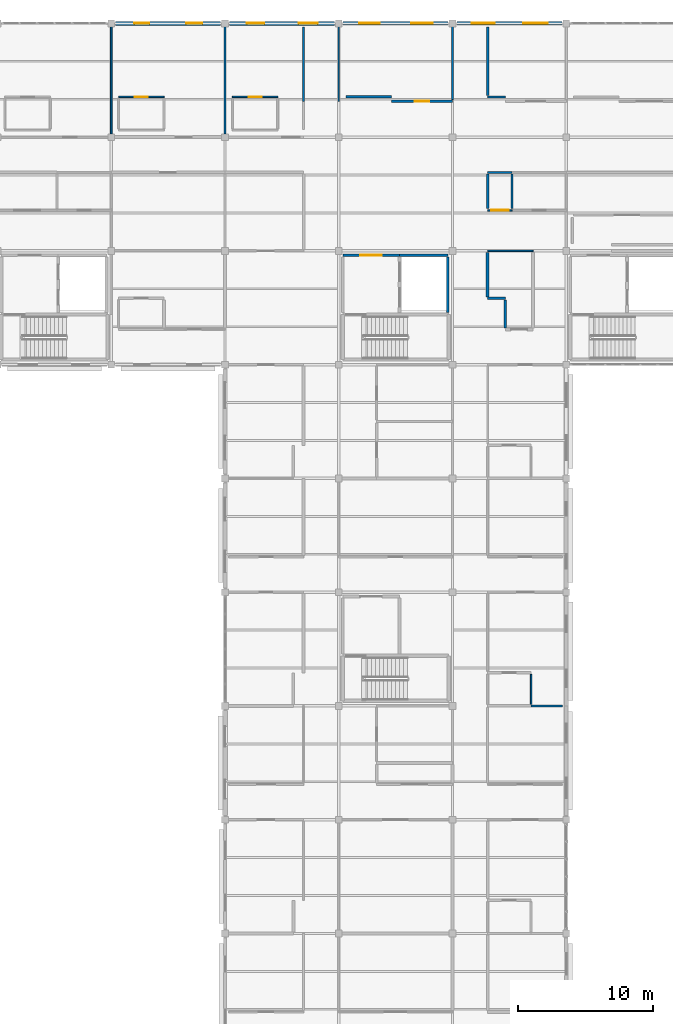
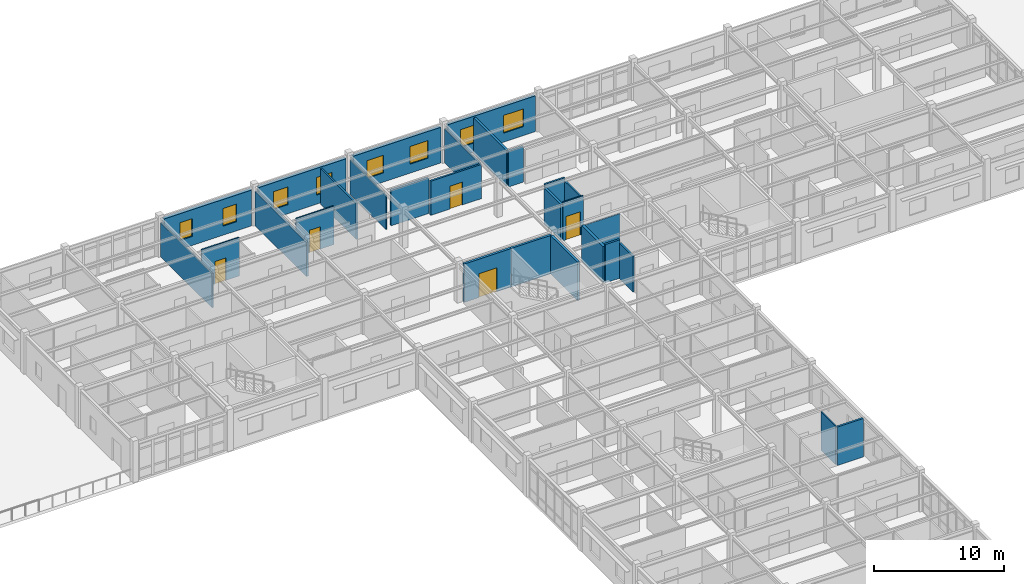
# One storey, part 42 of 53: 28 walls, 8 windows, 5 doors, 13 openings.
"""IFC4 building model written with IfcOpenShell, lengths in metres."""

from ifc_helpers import new_model, si_unit, direction, frame, frame_2d, origin, place, context, subcontext, project, spatial, rectangle, extrude, material, layer, layer_set, type_object, element, fill, save


model = new_model("IFC4")

# Units and contexts
model_context = context("Model", 3, precision=1e-05, world=origin(), true_north=direction((0.0, 1.0)))
body_context = subcontext(model_context, "Body", "Model", "MODEL_VIEW")
ifc_project = project(units=[si_unit("LENGTHUNIT", "METRE"), si_unit("AREAUNIT", "SQUARE_METRE"), si_unit("VOLUMEUNIT", "CUBIC_METRE"), si_unit("PLANEANGLEUNIT", "RADIAN"), si_unit("MASSUNIT", "GRAM", prefix="KILO")], contexts=[model_context])

# Site, building, storey
site_placement = place(None, origin())
site = spatial("IfcSite", under=ifc_project, at=site_placement, CompositionType="ELEMENT")
building_placement = place(site_placement, origin())
building = spatial("IfcBuilding", under=site, at=building_placement, Name="Bramfleet General Hospital", CompositionType="ELEMENT")
storey_placement = place(building_placement, frame((0.0, 0.0, 26.39990234375)))
storey = spatial("IfcBuildingStorey", under=building, at=storey_placement, Name="L06", CompositionType="ELEMENT", Elevation=26.39990234375)

# Wall, openings, windows
ifc_material_1 = material(Name="Precast concrete C40/50", Category="concrete")
ifc_layer_1 = layer(ifc_material_1, 0.294921875, Name="WT-EW-05")
ifc_layer_set_1 = layer_set([ifc_layer_1], Name="Precast concrete C40/50")
wall_type_1 = type_object("IfcWallType", Name="WT-EW-05", PredefinedType="SOLIDWALL", material=ifc_layer_set_1)
wall_1_placement = place(storey_placement, frame((84.324951171875, 117.60009765625, 0.0), z_axis=(0.0, 0.0, 1.0), x_axis=(1.0, 0.0, 0.0)))
wall_1 = element("IfcWall", 1, at=wall_1_placement, inside=storey, type_object=wall_type_1, Name="L06 Exterior Wall 395", PredefinedType="SOLIDWALL", context=body_context, shape_type="SweptSolid", body=[
    extrude(rectangle(XDim=7.75, YDim=0.294921875, at=frame_2d((3.875, 0.0))), origin(), (0.0, 0.0, 1.0), 3.360107421875),
])
opening_1_placement = place(wall_1_placement, frame((1.387451171875, 0.0, 0.85009765625)))
opening_1 = element("IfcOpeningElement", 2, at=opening_1_placement, cuts=wall_1, Name="Opening W-31", PredefinedType="OPENING", context=body_context, shape_type="SweptSolid", body=[
    extrude(rectangle(XDim=1.10009765625, YDim=1.659912109375, at=frame_2d((0.550048828125, 0.830078125))), frame((0.0, 0.157470703125, 0.0), z_axis=(0.0, -1.0, 0.0), x_axis=(1.0, 0.0, 0.0)), (0.0, 0.0, 1.0), 0.31494140625),
])
opening_2_placement = place(wall_1_placement, frame((5.21240234375, 0.0, 0.85009765625)))
opening_2 = element("IfcOpeningElement", 3, at=opening_2_placement, cuts=wall_1, Name="Opening W-32", PredefinedType="OPENING", context=body_context, shape_type="SweptSolid", body=[
    extrude(rectangle(XDim=1.199951171875, YDim=1.659912109375, at=frame_2d((0.60009765625, 0.830078125))), frame((0.0, 0.157470703125, 0.0), z_axis=(0.0, -1.0, 0.0), x_axis=(1.0, 0.0, 0.0)), (0.0, 0.0, 1.0), 0.31494140625),
])
ifc_material_2 = material(Name="Anodised aluminium and low-E triple glazing", Category="aluminium")
window_type_1 = type_object("IfcWindowType", Name="WIN-W-31", PartitioningType="SINGLE_PANEL", PredefinedType="WINDOW", material=ifc_material_2)
window_1_placement = place(opening_1_placement, origin())
window_1 = element("IfcWindow", 4, at=window_1_placement, inside=storey, type_object=window_type_1, Name="L06 Facade Window WIN-L06-395-1", OverallHeight=1.659912109375, OverallWidth=1.10009765625, PartitioningType="SINGLE_PANEL", PredefinedType="WINDOW", context=body_context, shape_type="SweptSolid", body=[
    extrude(rectangle(XDim=1.10009765625, YDim=1.659912109375, at=frame_2d((0.550048828125, 0.830078125))), frame((0.0, 0.030029296875, 0.0), z_axis=(0.0, -1.0, 0.0), x_axis=(1.0, 0.0, 0.0)), (0.0, 0.0, 1.0), 0.06005859375),
])
fill(opening_1, window_1)
window_type_2 = type_object("IfcWindowType", Name="WIN-W-32", PartitioningType="SINGLE_PANEL", PredefinedType="WINDOW", material=ifc_material_2)
window_2_placement = place(opening_2_placement, origin())
window_2 = element("IfcWindow", 5, at=window_2_placement, inside=storey, type_object=window_type_2, Name="L06 Facade Window WIN-L06-395-2", OverallHeight=1.659912109375, OverallWidth=1.199951171875, PartitioningType="SINGLE_PANEL", PredefinedType="WINDOW", context=body_context, shape_type="SweptSolid", body=[
    extrude(rectangle(XDim=1.199951171875, YDim=1.659912109375, at=frame_2d((0.60009765625, 0.830078125))), frame((0.0, 0.030029296875, 0.0), z_axis=(0.0, -1.0, 0.0), x_axis=(1.0, 0.0, 0.0)), (0.0, 0.0, 1.0), 0.06005859375),
])
fill(opening_2, window_2)

ifc_layer_2 = layer(ifc_material_1, 0.280029296875, Name="WT-EW-06")
ifc_layer_set_2 = layer_set([ifc_layer_2], Name="Precast concrete C40/50")
wall_type_2 = type_object("IfcWallType", Name="WT-EW-06", PredefinedType="SOLIDWALL", material=ifc_layer_set_2)
wall_2_placement = place(storey_placement, frame((92.72509765625, 117.60009765625, 0.0), z_axis=(0.0, 0.0, 1.0), x_axis=(1.0, 0.0, 0.0)))
wall_2 = element("IfcWall", 6, at=wall_2_placement, inside=storey, type_object=wall_type_2, Name="L06 Exterior Wall 396", PredefinedType="SOLIDWALL", context=body_context, shape_type="SweptSolid", body=[
    extrude(rectangle(XDim=7.75, YDim=0.280029296875, at=frame_2d((3.875, 0.0))), origin(), (0.0, 0.0, 1.0), 3.360107421875),
])
opening_3_placement = place(wall_2_placement, frame((1.28759765625, 0.0, 0.85009765625)))
opening_3 = element("IfcOpeningElement", 7, at=opening_3_placement, cuts=wall_2, Name="Opening W-33", PredefinedType="OPENING", context=body_context, shape_type="SweptSolid", body=[
    extrude(rectangle(XDim=1.300048828125, YDim=1.659912109375, at=frame_2d((0.64990234375, 0.830078125))), frame((0.0, 0.14990234375, 0.0), z_axis=(0.0, -1.0, 0.0), x_axis=(1.0, 0.0, 0.0)), (0.0, 0.0, 1.0), 0.300048828125),
])
opening_4_placement = place(wall_2_placement, frame((5.112548828125, 0.0, 0.85009765625)))
opening_4 = element("IfcOpeningElement", 8, at=opening_4_placement, cuts=wall_2, Name="Opening W-34", PredefinedType="OPENING", context=body_context, shape_type="SweptSolid", body=[
    extrude(rectangle(XDim=1.39990234375, YDim=1.659912109375, at=frame_2d((0.699951171875, 0.830078125))), frame((0.0, 0.14990234375, 0.0), z_axis=(0.0, -1.0, 0.0), x_axis=(1.0, 0.0, 0.0)), (0.0, 0.0, 1.0), 0.300048828125),
])
window_type_3 = type_object("IfcWindowType", Name="WIN-W-33", PartitioningType="SINGLE_PANEL", PredefinedType="WINDOW", material=ifc_material_2)
window_3_placement = place(opening_3_placement, origin())
window_3 = element("IfcWindow", 9, at=window_3_placement, inside=storey, type_object=window_type_3, Name="L06 Facade Window WIN-L06-396-1", OverallHeight=1.659912109375, OverallWidth=1.300048828125, PartitioningType="SINGLE_PANEL", PredefinedType="WINDOW", context=body_context, shape_type="SweptSolid", body=[
    extrude(rectangle(XDim=1.300048828125, YDim=1.659912109375, at=frame_2d((0.64990234375, 0.830078125))), frame((0.0, 0.030029296875, 0.0), z_axis=(0.0, -1.0, 0.0), x_axis=(1.0, 0.0, 0.0)), (0.0, 0.0, 1.0), 0.06005859375),
])
fill(opening_3, window_3)
window_type_4 = type_object("IfcWindowType", Name="WIN-W-34", PartitioningType="SINGLE_PANEL", PredefinedType="WINDOW", material=ifc_material_2)
window_4_placement = place(opening_4_placement, origin())
window_4 = element("IfcWindow", 10, at=window_4_placement, inside=storey, type_object=window_type_4, Name="L06 Facade Window WIN-L06-396-2", OverallHeight=1.659912109375, OverallWidth=1.39990234375, PartitioningType="SINGLE_PANEL", PredefinedType="WINDOW", context=body_context, shape_type="SweptSolid", body=[
    extrude(rectangle(XDim=1.39990234375, YDim=1.659912109375, at=frame_2d((0.699951171875, 0.830078125))), frame((0.0, 0.030029296875, 0.0), z_axis=(0.0, -1.0, 0.0), x_axis=(1.0, 0.0, 0.0)), (0.0, 0.0, 1.0), 0.06005859375),
])
fill(opening_4, window_4)

ifc_layer_3 = layer(ifc_material_1, 0.264892578125, Name="WT-EW-07")
ifc_layer_set_3 = layer_set([ifc_layer_3], Name="Precast concrete C40/50")
wall_type_3 = type_object("IfcWallType", Name="WT-EW-07", PredefinedType="SOLIDWALL", material=ifc_layer_set_3)
wall_3_placement = place(storey_placement, frame((101.125, 117.60009765625, 0.0), z_axis=(0.0, 0.0, 1.0), x_axis=(1.0, 0.0, 0.0)))
wall_3 = element("IfcWall", 11, at=wall_3_placement, inside=storey, type_object=wall_type_3, Name="L06 Exterior Wall 397", PredefinedType="SOLIDWALL", context=body_context, shape_type="SweptSolid", body=[
    extrude(rectangle(XDim=7.75, YDim=0.264892578125, at=frame_2d((3.875, 0.0))), origin(), (0.0, 0.0, 1.0), 3.360107421875),
])
opening_5_placement = place(wall_3_placement, frame((1.1875, 0.0, 0.85009765625)))
opening_5 = element("IfcOpeningElement", 12, at=opening_5_placement, cuts=wall_3, Name="Opening W-35", PredefinedType="OPENING", context=body_context, shape_type="SweptSolid", body=[
    extrude(rectangle(XDim=1.5, YDim=1.659912109375, at=frame_2d((0.75, 0.830078125))), frame((0.0, 0.142333984375, 0.0), z_axis=(0.0, -1.0, 0.0), x_axis=(1.0, 0.0, 0.0)), (0.0, 0.0, 1.0), 0.284912109375),
])
opening_6_placement = place(wall_3_placement, frame((5.012451171875, 0.0, 0.85009765625)))
opening_6 = element("IfcOpeningElement", 13, at=opening_6_placement, cuts=wall_3, Name="Opening W-36", PredefinedType="OPENING", context=body_context, shape_type="SweptSolid", body=[
    extrude(rectangle(XDim=1.60009765625, YDim=1.659912109375, at=frame_2d((0.800048828125, 0.830078125))), frame((0.0, 0.142333984375, 0.0), z_axis=(0.0, -1.0, 0.0), x_axis=(1.0, 0.0, 0.0)), (0.0, 0.0, 1.0), 0.284912109375),
])
window_type_5 = type_object("IfcWindowType", Name="WIN-W-35", PartitioningType="SINGLE_PANEL", PredefinedType="WINDOW", material=ifc_material_2)
window_5_placement = place(opening_5_placement, origin())
window_5 = element("IfcWindow", 14, at=window_5_placement, inside=storey, type_object=window_type_5, Name="L06 Facade Window WIN-L06-397-1", OverallHeight=1.659912109375, OverallWidth=1.5, PartitioningType="SINGLE_PANEL", PredefinedType="WINDOW", context=body_context, shape_type="SweptSolid", body=[
    extrude(rectangle(XDim=1.5, YDim=1.659912109375, at=frame_2d((0.75, 0.830078125))), frame((0.0, 0.030029296875, 0.0), z_axis=(0.0, -1.0, 0.0), x_axis=(1.0, 0.0, 0.0)), (0.0, 0.0, 1.0), 0.06005859375),
])
fill(opening_5, window_5)
window_type_6 = type_object("IfcWindowType", Name="WIN-W-36", PartitioningType="SINGLE_PANEL", PredefinedType="WINDOW", material=ifc_material_2)
window_6_placement = place(opening_6_placement, origin())
window_6 = element("IfcWindow", 15, at=window_6_placement, inside=storey, type_object=window_type_6, Name="L06 Facade Window WIN-L06-397-2", OverallHeight=1.659912109375, OverallWidth=1.60009765625, PartitioningType="SINGLE_PANEL", PredefinedType="WINDOW", context=body_context, shape_type="SweptSolid", body=[
    extrude(rectangle(XDim=1.60009765625, YDim=1.659912109375, at=frame_2d((0.800048828125, 0.830078125))), frame((0.0, 0.030029296875, 0.0), z_axis=(0.0, -1.0, 0.0), x_axis=(1.0, 0.0, 0.0)), (0.0, 0.0, 1.0), 0.06005859375),
])
fill(opening_6, window_6)

ifc_layer_4 = layer(ifc_material_1, 0.25, Name="WT-EW-08")
ifc_layer_set_4 = layer_set([ifc_layer_4], Name="Precast concrete C40/50")
wall_type_4 = type_object("IfcWallType", Name="WT-EW-08", PredefinedType="SOLIDWALL", material=ifc_layer_set_4)
wall_4_placement = place(storey_placement, frame((109.52490234375, 117.60009765625, 0.0), z_axis=(0.0, 0.0, 1.0), x_axis=(1.0, 0.0, 0.0)))
wall_4 = element("IfcWall", 16, at=wall_4_placement, inside=storey, type_object=wall_type_4, Name="L06 Exterior Wall 398", PredefinedType="SOLIDWALL", context=body_context, shape_type="SweptSolid", body=[
    extrude(rectangle(XDim=7.75, YDim=0.25, at=frame_2d((3.875, 0.0))), origin(), (0.0, 0.0, 1.0), 3.360107421875),
])
opening_7_placement = place(wall_4_placement, frame((1.08740234375, 0.0, 0.85009765625)))
opening_7 = element("IfcOpeningElement", 17, at=opening_7_placement, cuts=wall_4, Name="Opening W-37", PredefinedType="OPENING", context=body_context, shape_type="SweptSolid", body=[
    extrude(rectangle(XDim=1.699951171875, YDim=1.659912109375, at=frame_2d((0.85009765625, 0.830078125))), frame((0.0, 0.135009765625, 0.0), z_axis=(0.0, -1.0, 0.0), x_axis=(1.0, 0.0, 0.0)), (0.0, 0.0, 1.0), 0.27001953125),
])
opening_8_placement = place(wall_4_placement, frame((4.91259765625, 0.0, 0.85009765625)))
opening_8 = element("IfcOpeningElement", 18, at=opening_8_placement, cuts=wall_4, Name="Opening W-38", PredefinedType="OPENING", context=body_context, shape_type="SweptSolid", body=[
    extrude(rectangle(XDim=1.800048828125, YDim=1.659912109375, at=frame_2d((0.89990234375, 0.830078125))), frame((0.0, 0.135009765625, 0.0), z_axis=(0.0, -1.0, 0.0), x_axis=(1.0, 0.0, 0.0)), (0.0, 0.0, 1.0), 0.27001953125),
])
window_type_7 = type_object("IfcWindowType", Name="WIN-W-37", PartitioningType="SINGLE_PANEL", PredefinedType="WINDOW", material=ifc_material_2)
window_7_placement = place(opening_7_placement, origin())
window_7 = element("IfcWindow", 19, at=window_7_placement, inside=storey, type_object=window_type_7, Name="L06 Facade Window WIN-L06-398-1", OverallHeight=1.659912109375, OverallWidth=1.699951171875, PartitioningType="SINGLE_PANEL", PredefinedType="WINDOW", context=body_context, shape_type="SweptSolid", body=[
    extrude(rectangle(XDim=1.699951171875, YDim=1.659912109375, at=frame_2d((0.85009765625, 0.830078125))), frame((0.0, 0.030029296875, 0.0), z_axis=(0.0, -1.0, 0.0), x_axis=(1.0, 0.0, 0.0)), (0.0, 0.0, 1.0), 0.06005859375),
])
fill(opening_7, window_7)
window_type_8 = type_object("IfcWindowType", Name="WIN-W-38", PartitioningType="SINGLE_PANEL", PredefinedType="WINDOW", material=ifc_material_2)
window_8_placement = place(opening_8_placement, origin())
window_8 = element("IfcWindow", 20, at=window_8_placement, inside=storey, type_object=window_type_8, Name="L06 Facade Window WIN-L06-398-2", OverallHeight=1.659912109375, OverallWidth=1.800048828125, PartitioningType="SINGLE_PANEL", PredefinedType="WINDOW", context=body_context, shape_type="SweptSolid", body=[
    extrude(rectangle(XDim=1.800048828125, YDim=1.659912109375, at=frame_2d((0.89990234375, 0.830078125))), frame((0.0, 0.030029296875, 0.0), z_axis=(0.0, -1.0, 0.0), x_axis=(1.0, 0.0, 0.0)), (0.0, 0.0, 1.0), 0.06005859375),
])
fill(opening_8, window_8)

# Walls
ifc_material_3 = material(Name="Concrete C35/45", Category="concrete")
ifc_layer_5 = layer(ifc_material_3, 0.219970703125, Name="WT-IW-01")
ifc_layer_set_5 = layer_set([ifc_layer_5], Name="Concrete C35/45")
wall_type_5 = type_object("IfcWallType", Name="WT-IW-01", PredefinedType="PARTITIONING", material=ifc_layer_set_5)
wall_5_placement = place(storey_placement, frame((111.800048828125, 97.4150390625, 0.0), z_axis=(0.0, 0.0, 1.0), x_axis=(0.0, 1.0, 0.0)))
element("IfcWall", 21, at=wall_5_placement, inside=storey, type_object=wall_type_5, Name="L06 Interior Partition IW-L06-4069", PredefinedType="PARTITIONING", context=body_context, shape_type="SweptSolid", body=[
    extrude(rectangle(XDim=3.27001953125, YDim=0.219970703125, at=frame_2d((1.635009765625, 0.0))), origin(), (0.0, 0.0, 1.0), 3.340087890625),
])
ifc_layer_6 = layer(ifc_material_3, 0.205078125, Name="WT-IW-02")
ifc_layer_set_6 = layer_set([ifc_layer_6], Name="Concrete C35/45")
wall_type_6 = type_object("IfcWallType", Name="WT-IW-02", PredefinedType="PARTITIONING", material=ifc_layer_set_6)
wall_6_placement = place(storey_placement, frame((108.85009765625, 96.239990234375, 0.0), z_axis=(0.0, 0.0, 1.0), x_axis=(0.0, 1.0, 0.0)))
element("IfcWall", 22, at=wall_6_placement, inside=storey, type_object=wall_type_6, Name="L06 C4 Lift Shaft East Wall", PredefinedType="PARTITIONING", context=body_context, shape_type="SweptSolid", body=[
    extrude(rectangle(XDim=4.1201171875, YDim=0.205078125, at=frame_2d((2.06005859375, 0.0))), origin(), (0.0, 0.0, 1.0), 3.610107421875),
])
wall_7_placement = place(storey_placement, frame((105.280029296875, 100.47998046875, 0.0), z_axis=(0.0, 0.0, 1.0), x_axis=(1.0, 0.0, 0.0)))
element("IfcWall", 23, at=wall_7_placement, inside=storey, type_object=wall_type_6, Name="L06 C4 Lift Shaft North Wall", PredefinedType="PARTITIONING", context=body_context, shape_type="SweptSolid", body=[
    extrude(rectangle(XDim=3.570068359375, YDim=0.205078125, at=frame_2d((1.78515625, 0.0))), origin(), (0.0, 0.0, 1.0), 3.610107421875),
])

# Wall, opening, door
wall_8_placement = place(storey_placement, frame((101.10009765625, 100.47998046875, 0.0), z_axis=(0.0, 0.0, 1.0), x_axis=(1.0, 0.0, 0.0)))
wall_8 = element("IfcWall", 24, at=wall_8_placement, inside=storey, type_object=wall_type_6, Name="L06 C4 Lobby North Compartment Wall", PredefinedType="PARTITIONING", context=body_context, shape_type="SweptSolid", body=[
    extrude(rectangle(XDim=4.179931640625, YDim=0.205078125, at=frame_2d((2.08984375, 0.0))), origin(), (0.0, 0.0, 1.0), 3.610107421875),
])
opening_9_placement = place(wall_8_placement, frame((1.2900390625, 0.0, 0.0)))
opening_9 = element("IfcOpeningElement", 25, at=opening_9_placement, cuts=wall_8, Name="Opening D0052", PredefinedType="OPENING", context=body_context, shape_type="SweptSolid", body=[
    extrude(rectangle(XDim=1.60009765625, YDim=2.25, at=frame_2d((0.800048828125, 1.125))), frame((0.0, 0.112548828125, 0.0), z_axis=(0.0, -1.0, 0.0), x_axis=(1.0, 0.0, 0.0)), (0.0, 0.0, 1.0), 0.22509765625),
])
ifc_material_4 = material(Name="Stainless steel and acoustic timber leaf", Category="steel")
door_type_1 = type_object("IfcDoorType", Name="DR-D-04", OperationType="NOTDEFINED", PredefinedType="DOOR", material=ifc_material_4)
door_1_placement = place(opening_9_placement, origin())
door_1 = element("IfcDoor", 26, at=door_1_placement, inside=storey, type_object=door_type_1, Name="L06 C4 Lobby Fire Door D0052", OperationType="DOUBLE_SWING_LEFT", OverallHeight=2.25, OverallWidth=1.60009765625, PredefinedType="DOOR", context=body_context, shape_type="SweptSolid", body=[
    extrude(rectangle(XDim=1.60009765625, YDim=2.25, at=frame_2d((0.800048828125, 1.125))), frame((0.0, 0.02490234375, 0.0), z_axis=(0.0, -1.0, 0.0), x_axis=(1.0, 0.0, 0.0)), (0.0, 0.0, 1.0), 0.050048828125),
])
fill(opening_9, door_1)

# Walls
wall_9_placement = place(storey_placement, frame((111.800048828125, 103.9150390625, 0.0), z_axis=(0.0, 0.0, 1.0), x_axis=(0.0, 1.0, 0.0)))
element("IfcWall", 27, at=wall_9_placement, inside=storey, type_object=wall_type_6, Name="L06 Interior Partition IW-L06-4070", PredefinedType="PARTITIONING", context=body_context, shape_type="SweptSolid", body=[
    extrude(rectangle(XDim=2.570068359375, YDim=0.205078125, at=frame_2d((1.28515625, 0.0))), origin(), (0.0, 0.0, 1.0), 3.340087890625),
])
ifc_layer_7 = layer(ifc_material_3, 0.18994140625, Name="WT-IW-03")
ifc_layer_set_7 = layer_set([ifc_layer_7], Name="Concrete C35/45")
wall_type_7 = type_object("IfcWallType", Name="WT-IW-03", PredefinedType="PARTITIONING", material=ifc_layer_set_7)
wall_10_placement = place(storey_placement, frame((111.800048828125, 112.284912109375, 0.0), z_axis=(0.0, 0.0, 1.0), x_axis=(0.0, 1.0, 0.0)))
element("IfcWall", 28, at=wall_10_placement, inside=storey, type_object=wall_type_7, Name="L06 Interior Partition IW-L06-4071", PredefinedType="PARTITIONING", context=body_context, shape_type="SweptSolid", body=[
    extrude(rectangle(XDim=5.03515625, YDim=0.18994140625, at=frame_2d((2.517578125, 0.0))), origin(), (0.0, 0.0, 1.0), 3.340087890625),
])
ifc_layer_8 = layer(ifc_material_3, 0.179931640625, Name="WT-IW-04")
ifc_layer_set_8 = layer_set([ifc_layer_8], Name="Concrete C35/45")
wall_type_8 = type_object("IfcWallType", Name="WT-IW-04", PredefinedType="PARTITIONING", material=ifc_layer_set_8)
wall_11_placement = place(storey_placement, frame((101.35009765625, 112.169921875, 0.0), z_axis=(0.0, 0.0, 1.0), x_axis=(1.0, 0.0, 0.0)))
element("IfcWall", 29, at=wall_11_placement, inside=storey, type_object=wall_type_8, Name="L06 Interior Partition IW-L06-3976", PredefinedType="PARTITIONING", context=body_context, shape_type="SweptSolid", body=[
    extrude(rectangle(XDim=3.349853515625, YDim=0.179931640625, at=frame_2d((1.6748046875, 0.0))), origin(), (0.0, 0.0, 1.0), 3.340087890625),
])
ifc_material_5 = material(Name="Gypsum plasterboard on acoustic steel studs", Category="steel")
ifc_layer_9 = layer(ifc_material_5, 0.169921875, Name="WT-IW-05")
ifc_layer_set_9 = layer_set([ifc_layer_9], Name="Gypsum plasterboard on acoustic steel studs")
wall_type_9 = type_object("IfcWallType", Name="WT-IW-05", PredefinedType="PARTITIONING", material=ifc_layer_set_9)
wall_12_placement = place(storey_placement, frame((115.0, 67.199951171875, 0.0), z_axis=(0.0, 0.0, 1.0), x_axis=(1.0, 0.0, 0.0)))
element("IfcWall", 30, at=wall_12_placement, inside=storey, type_object=wall_type_9, Name="L06 Interior Partition IW-L06-3905", PredefinedType="PARTITIONING", context=body_context, shape_type="SweptSolid", body=[
    extrude(rectangle(XDim=2.320068359375, YDim=0.169921875, at=frame_2d((1.16015625, 0.0))), origin(), (0.0, 0.0, 1.0), 3.610107421875),
])
wall_13_placement = place(storey_placement, frame((111.800048828125, 112.169921875, 0.0), z_axis=(0.0, 0.0, 1.0), x_axis=(1.0, 0.0, 0.0)))
element("IfcWall", 31, at=wall_13_placement, inside=storey, type_object=wall_type_9, Name="L06 Interior Partition IW-L06-3977", PredefinedType="PARTITIONING", context=body_context, shape_type="SweptSolid", body=[
    extrude(rectangle(XDim=1.300048828125, YDim=0.169921875, at=frame_2d((0.64990234375, 0.0))), origin(), (0.0, 0.0, 1.0), 3.340087890625),
])
wall_14_placement = place(storey_placement, frame((92.39990234375, 109.445068359375, 0.0), z_axis=(0.0, 0.0, 1.0), x_axis=(0.0, 1.0, 0.0)))
element("IfcWall", 32, at=wall_14_placement, inside=storey, type_object=wall_type_9, Name="L06 Interior Partition IW-L06-4001", PredefinedType="PARTITIONING", context=body_context, shape_type="SweptSolid", body=[
    extrude(rectangle(XDim=7.909912109375, YDim=0.169921875, at=frame_2d((3.955078125, 0.0))), origin(), (0.0, 0.0, 1.0), 3.210205078125),
])
ifc_layer_10 = layer(ifc_material_5, 0.159912109375, Name="WT-IW-06")
ifc_layer_set_10 = layer_set([ifc_layer_10], Name="Gypsum plasterboard on acoustic steel studs")
wall_type_10 = type_object("IfcWallType", Name="WT-IW-06", PredefinedType="PARTITIONING", material=ifc_layer_set_10)
wall_15_placement = place(storey_placement, frame((111.800048828125, 97.300048828125, 0.0), z_axis=(0.0, 0.0, 1.0), x_axis=(1.0, 0.0, 0.0)))
element("IfcWall", 33, at=wall_15_placement, inside=storey, type_object=wall_type_10, Name="L06 Interior Partition IW-L06-3930", PredefinedType="PARTITIONING", context=body_context, shape_type="SweptSolid", body=[
    extrude(rectangle(XDim=1.300048828125, YDim=0.159912109375, at=frame_2d((0.64990234375, 0.0))), origin(), (0.0, 0.0, 1.0), 3.610107421875),
])
wall_16_placement = place(storey_placement, frame((111.800048828125, 106.60009765625, 0.0), z_axis=(0.0, 0.0, 1.0), x_axis=(1.0, 0.0, 0.0)))
element("IfcWall", 34, at=wall_16_placement, inside=storey, type_object=wall_type_10, Name="L06 Interior Partition IW-L06-3954", PredefinedType="PARTITIONING", context=body_context, shape_type="SweptSolid", body=[
    extrude(rectangle(XDim=1.800048828125, YDim=0.159912109375, at=frame_2d((0.89990234375, 0.0))), origin(), (0.0, 0.0, 1.0), 3.610107421875),
])

# Wall, opening, door
wall_17_placement = place(storey_placement, frame((104.699951171875, 111.85009765625, 0.0), z_axis=(0.0, 0.0, 1.0), x_axis=(1.0, 0.0, 0.0)))
wall_17 = element("IfcWall", 35, at=wall_17_placement, inside=storey, type_object=wall_type_10, Name="L06 Interior Partition IW-L06-3966", PredefinedType="PARTITIONING", context=body_context, shape_type="SweptSolid", body=[
    extrude(rectangle(XDim=4.5, YDim=0.159912109375, at=frame_2d((2.25, 0.0))), origin(), (0.0, 0.0, 1.0), 3.210205078125),
])
opening_10_placement = place(wall_17_placement, frame((1.699951171875, 0.0, 0.0)))
opening_10 = element("IfcOpeningElement", 36, at=opening_10_placement, cuts=wall_17, Name="Opening D1483", PredefinedType="OPENING", context=body_context, shape_type="SweptSolid", body=[
    extrude(rectangle(XDim=1.10009765625, YDim=2.14990234375, at=frame_2d((0.550048828125, 1.074951171875))), frame((0.0, 0.08984375, 0.0), z_axis=(0.0, -1.0, 0.0), x_axis=(1.0, 0.0, 0.0)), (0.0, 0.0, 1.0), 0.179931640625),
])
door_type_2 = type_object("IfcDoorType", Name="DR-D-11", OperationType="NOTDEFINED", PredefinedType="DOOR", material=ifc_material_4)
door_2_placement = place(opening_10_placement, origin())
door_2 = element("IfcDoor", 37, at=door_2_placement, inside=storey, type_object=door_type_2, Name="Oncology and Neurology Ward Bedroom L06-1213 Door D1483", OperationType="SINGLE_SWING_RIGHT", OverallHeight=2.14990234375, OverallWidth=1.10009765625, PredefinedType="DOOR", context=body_context, shape_type="SweptSolid", body=[
    extrude(rectangle(XDim=1.10009765625, YDim=2.14990234375, at=frame_2d((0.550048828125, 1.074951171875))), frame((0.0, 0.02490234375, 0.0), z_axis=(0.0, -1.0, 0.0), x_axis=(1.0, 0.0, 0.0)), (0.0, 0.0, 1.0), 0.050048828125),
])
fill(opening_10, door_2)

# Walls
wall_18_placement = place(storey_placement, frame((98.199951171875, 111.85009765625, 0.0), z_axis=(0.0, 0.0, 1.0), x_axis=(0.0, 1.0, 0.0)))
element("IfcWall", 38, at=wall_18_placement, inside=storey, type_object=wall_type_10, Name="L06 Interior Partition IW-L06-4026", PredefinedType="PARTITIONING", context=body_context, shape_type="SweptSolid", body=[
    extrude(rectangle(XDim=5.469970703125, YDim=0.159912109375, at=frame_2d((2.73486328125, 0.0))), origin(), (0.0, 0.0, 1.0), 3.340087890625),
])
wall_19_placement = place(storey_placement, frame((113.10009765625, 95.114990234375, 0.0), z_axis=(0.0, 0.0, 1.0), x_axis=(0.0, 1.0, 0.0)))
element("IfcWall", 39, at=wall_19_placement, inside=storey, type_object=wall_type_10, Name="L06 Interior Partition IW-L06-4074", PredefinedType="PARTITIONING", context=body_context, shape_type="SweptSolid", body=[
    extrude(rectangle(XDim=2.070068359375, YDim=0.159912109375, at=frame_2d((1.03515625, 0.0))), origin(), (0.0, 0.0, 1.0), 3.340087890625),
])
ifc_layer_11 = layer(ifc_material_5, 0.14990234375, Name="WT-IW-07")
ifc_layer_set_11 = layer_set([ifc_layer_11], Name="Gypsum plasterboard on acoustic steel studs")
wall_type_11 = type_object("IfcWallType", Name="WT-IW-07", PredefinedType="PARTITIONING", material=ifc_layer_set_11)
wall_20_placement = place(storey_placement, frame((113.60009765625, 103.9150390625, 0.0), z_axis=(0.0, 0.0, 1.0), x_axis=(0.0, 1.0, 0.0)))
element("IfcWall", 40, at=wall_20_placement, inside=storey, type_object=wall_type_11, Name="L06 Interior Partition IW-L06-4075", PredefinedType="PARTITIONING", context=body_context, shape_type="SweptSolid", body=[
    extrude(rectangle(XDim=2.570068359375, YDim=0.14990234375, at=frame_2d((1.28515625, 0.0))), origin(), (0.0, 0.0, 1.0), 3.340087890625),
])
ifc_layer_12 = layer(ifc_material_5, 0.139892578125, Name="WT-IW-08")
ifc_layer_set_12 = layer_set([ifc_layer_12], Name="Gypsum plasterboard on acoustic steel studs")
wall_type_12 = type_object("IfcWallType", Name="WT-IW-08", PredefinedType="PARTITIONING", material=ifc_layer_set_12)
wall_21_placement = place(storey_placement, frame((109.199951171875, 111.965087890625, 0.0), z_axis=(0.0, 0.0, 1.0), x_axis=(0.0, 1.0, 0.0)))
element("IfcWall", 41, at=wall_21_placement, inside=storey, type_object=wall_type_12, Name="L06 Interior Partition IW-L06-4052", PredefinedType="PARTITIONING", context=body_context, shape_type="SweptSolid", body=[
    extrude(rectangle(XDim=5.389892578125, YDim=0.139892578125, at=frame_2d((2.69482421875, 0.0))), origin(), (0.0, 0.0, 1.0), 3.210205078125),
])

# Wall, opening, door
ifc_layer_13 = layer(ifc_material_5, 0.1201171875, Name="WT-IW-10")
ifc_layer_set_13 = layer_set([ifc_layer_13], Name="Gypsum plasterboard on acoustic steel studs")
wall_type_13 = type_object("IfcWallType", Name="WT-IW-10", PredefinedType="PARTITIONING", material=ifc_layer_set_13)
wall_22_placement = place(storey_placement, frame((84.550048828125, 112.169921875, 0.0), z_axis=(0.0, 0.0, 1.0), x_axis=(1.0, 0.0, 0.0)))
wall_22 = element("IfcWall", 42, at=wall_22_placement, inside=storey, type_object=wall_type_13, Name="L06 Interior Partition IW-L06-3974", PredefinedType="PARTITIONING", context=body_context, shape_type="SweptSolid", body=[
    extrude(rectangle(XDim=3.349853515625, YDim=0.1201171875, at=frame_2d((1.6748046875, 0.0))), origin(), (0.0, 0.0, 1.0), 3.610107421875),
])
opening_11_placement = place(wall_22_placement, frame((1.199951171875, 0.0, 0.0)))
opening_11 = element("IfcOpeningElement", 43, at=opening_11_placement, cuts=wall_22, Name="Opening D1454", PredefinedType="OPENING", context=body_context, shape_type="SweptSolid", body=[
    extrude(rectangle(XDim=0.949951171875, YDim=2.10009765625, at=frame_2d((0.47509765625, 1.050048828125))), frame((0.0, 0.070068359375, 0.0), z_axis=(0.0, -1.0, 0.0), x_axis=(1.0, 0.0, 0.0)), (0.0, 0.0, 1.0), 0.14013671875),
])
door_type_3 = type_object("IfcDoorType", Name="DR-D-10", OperationType="NOTDEFINED", PredefinedType="DOOR", material=ifc_material_4)
door_3_placement = place(opening_11_placement, origin())
door_3 = element("IfcDoor", 44, at=door_3_placement, inside=storey, type_object=door_type_3, Name="En-Suite Bathroom L06-1013 Door D1454", OperationType="SINGLE_SWING_LEFT", OverallHeight=2.10009765625, OverallWidth=0.949951171875, PredefinedType="DOOR", context=body_context, shape_type="SweptSolid", body=[
    extrude(rectangle(XDim=0.949951171875, YDim=2.10009765625, at=frame_2d((0.47509765625, 1.050048828125))), frame((0.0, 0.02490234375, 0.0), z_axis=(0.0, -1.0, 0.0), x_axis=(1.0, 0.0, 0.0)), (0.0, 0.0, 1.0), 0.050048828125),
])
fill(opening_11, door_3)

wall_23_placement = place(storey_placement, frame((92.949951171875, 112.169921875, 0.0), z_axis=(0.0, 0.0, 1.0), x_axis=(1.0, 0.0, 0.0)))
wall_23 = element("IfcWall", 45, at=wall_23_placement, inside=storey, type_object=wall_type_13, Name="L06 Interior Partition IW-L06-3975", PredefinedType="PARTITIONING", context=body_context, shape_type="SweptSolid", body=[
    extrude(rectangle(XDim=3.35009765625, YDim=0.1201171875, at=frame_2d((1.675048828125, 0.0))), origin(), (0.0, 0.0, 1.0), 3.610107421875),
])
opening_12_placement = place(wall_23_placement, frame((1.199951171875, 0.0, 0.0)))
opening_12 = element("IfcOpeningElement", 46, at=opening_12_placement, cuts=wall_23, Name="Opening D1470", PredefinedType="OPENING", context=body_context, shape_type="SweptSolid", body=[
    extrude(rectangle(XDim=0.949951171875, YDim=2.10009765625, at=frame_2d((0.47509765625, 1.050048828125))), frame((0.0, 0.070068359375, 0.0), z_axis=(0.0, -1.0, 0.0), x_axis=(1.0, 0.0, 0.0)), (0.0, 0.0, 1.0), 0.14013671875),
])
door_4_placement = place(opening_12_placement, origin())
door_4 = element("IfcDoor", 47, at=door_4_placement, inside=storey, type_object=door_type_3, Name="En-Suite Bathroom L06-1113 Door D1470", OperationType="SINGLE_SWING_LEFT", OverallHeight=2.10009765625, OverallWidth=0.949951171875, PredefinedType="DOOR", context=body_context, shape_type="SweptSolid", body=[
    extrude(rectangle(XDim=0.949951171875, YDim=2.10009765625, at=frame_2d((0.47509765625, 1.050048828125))), frame((0.0, 0.02490234375, 0.0), z_axis=(0.0, -1.0, 0.0), x_axis=(1.0, 0.0, 0.0)), (0.0, 0.0, 1.0), 0.050048828125),
])
fill(opening_12, door_4)

# Wall
wall_24_placement = place(storey_placement, frame((84.0, 109.445068359375, 0.0), z_axis=(0.0, 0.0, 1.0), x_axis=(0.0, 1.0, 0.0)))
element("IfcWall", 48, at=wall_24_placement, inside=storey, type_object=wall_type_13, Name="L06 Interior Partition IW-L06-3994", PredefinedType="PARTITIONING", context=body_context, shape_type="SweptSolid", body=[
    extrude(rectangle(XDim=7.909912109375, YDim=0.1201171875, at=frame_2d((3.955078125, 0.0))), origin(), (0.0, 0.0, 1.0), 3.210205078125),
])

# Wall, opening, door
ifc_layer_14 = layer(ifc_material_5, 0.112060546875, Name="WT-IW-11")
ifc_layer_set_14 = layer_set([ifc_layer_14], Name="Gypsum plasterboard on acoustic steel studs")
wall_type_14 = type_object("IfcWallType", Name="WT-IW-11", PredefinedType="PARTITIONING", material=ifc_layer_set_14)
wall_25_placement = place(storey_placement, frame((111.800048828125, 103.800048828125, 0.0), z_axis=(0.0, 0.0, 1.0), x_axis=(1.0, 0.0, 0.0)))
wall_25 = element("IfcWall", 49, at=wall_25_placement, inside=storey, type_object=wall_type_14, Name="L06 Interior Partition IW-L06-3947", PredefinedType="PARTITIONING", context=body_context, shape_type="SweptSolid", body=[
    extrude(rectangle(XDim=1.800048828125, YDim=0.112060546875, at=frame_2d((0.89990234375, 0.0))), origin(), (0.0, 0.0, 1.0), 3.610107421875),
])
opening_13_placement = place(wall_25_placement, frame((0.260009765625, 0.0, 0.0)))
opening_13 = element("IfcOpeningElement", 50, at=opening_13_placement, cuts=wall_25, Name="Opening D1501", PredefinedType="OPENING", context=body_context, shape_type="SweptSolid", body=[
    extrude(rectangle(XDim=1.280029296875, YDim=2.179931640625, at=frame_2d((0.64013671875, 1.08984375))), frame((0.0, 0.06591796875, 0.0), z_axis=(0.0, -1.0, 0.0), x_axis=(1.0, 0.0, 0.0)), (0.0, 0.0, 1.0), 0.132080078125),
])
door_type_4 = type_object("IfcDoorType", Name="DR-D-29", OperationType="NOTDEFINED", PredefinedType="DOOR", material=ifc_material_4)
door_5_placement = place(opening_13_placement, origin())
door_5 = element("IfcDoor", 51, at=door_5_placement, inside=storey, type_object=door_type_4, Name="Clean Medication and Treatment Room L06-1312 Door D1501", OperationType="SINGLE_SWING_RIGHT", OverallHeight=2.179931640625, OverallWidth=1.280029296875, PredefinedType="DOOR", context=body_context, shape_type="SweptSolid", body=[
    extrude(rectangle(XDim=1.280029296875, YDim=2.179931640625, at=frame_2d((0.64013671875, 1.08984375))), frame((0.0, 0.02490234375, 0.0), z_axis=(0.0, -1.0, 0.0), x_axis=(1.0, 0.0, 0.0)), (0.0, 0.0, 1.0), 0.050048828125),
])
fill(opening_13, door_5)

# Walls
wall_26_placement = place(storey_placement, frame((115.0, 67.31494140625, 0.0), z_axis=(0.0, 0.0, 1.0), x_axis=(0.0, 1.0, 0.0)))
element("IfcWall", 52, at=wall_26_placement, inside=storey, type_object=wall_type_14, Name="L06 Interior Partition IW-L06-4079", PredefinedType="PARTITIONING", context=body_context, shape_type="SweptSolid", body=[
    extrude(rectangle(XDim=2.219970703125, YDim=0.112060546875, at=frame_2d((1.10986328125, 0.0))), origin(), (0.0, 0.0, 1.0), 3.610107421875),
])
ifc_layer_15 = layer(ifc_material_5, 0.10009765625, Name="WT-IW-12")
ifc_layer_set_15 = layer_set([ifc_layer_15], Name="Gypsum plasterboard on acoustic steel studs")
wall_type_15 = type_object("IfcWallType", Name="WT-IW-12", PredefinedType="PARTITIONING", material=ifc_layer_set_15)
wall_27_placement = place(storey_placement, frame((111.800048828125, 100.800048828125, 0.0), z_axis=(0.0, 0.0, 1.0), x_axis=(1.0, 0.0, 0.0)))
element("IfcWall", 53, at=wall_27_placement, inside=storey, type_object=wall_type_15, Name="L06 Interior Partition IW-L06-3936", PredefinedType="PARTITIONING", context=body_context, shape_type="SweptSolid", body=[
    extrude(rectangle(XDim=3.349853515625, YDim=0.10009765625, at=frame_2d((1.6748046875, 0.0))), origin(), (0.0, 0.0, 1.0), 3.210205078125),
])
wall_28_placement = place(storey_placement, frame((100.800048828125, 111.85009765625, 0.0), z_axis=(0.0, 0.0, 1.0), x_axis=(0.0, 1.0, 0.0)))
element("IfcWall", 54, at=wall_28_placement, inside=storey, type_object=wall_type_15, Name="L06 Interior Partition IW-L06-4032", PredefinedType="PARTITIONING", context=body_context, shape_type="SweptSolid", body=[
    extrude(rectangle(XDim=5.5048828125, YDim=0.10009765625, at=frame_2d((2.75244140625, 0.0))), origin(), (0.0, 0.0, 1.0), 3.210205078125),
])

save(model, "model.ifc")
